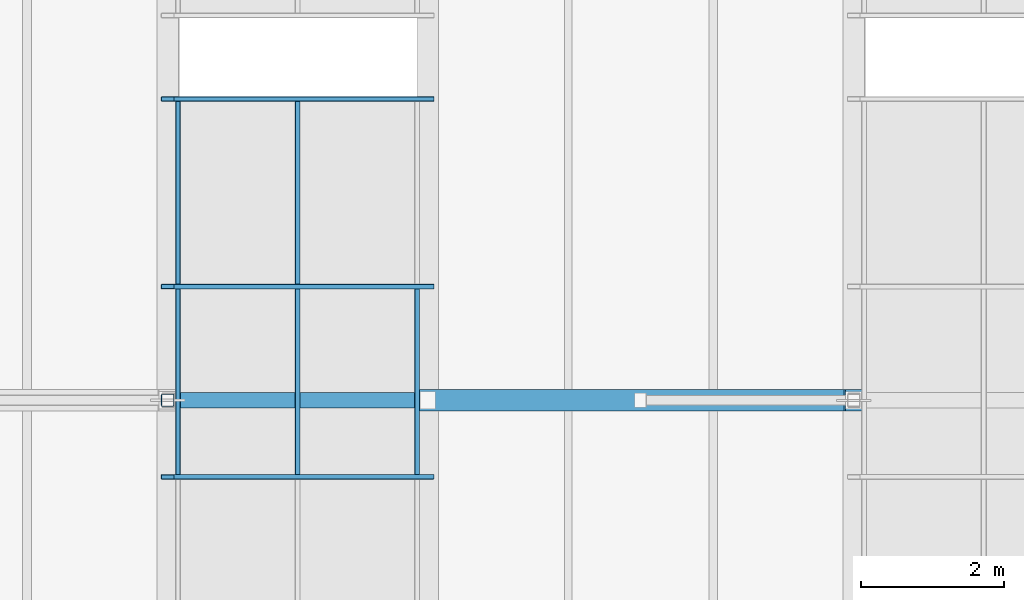
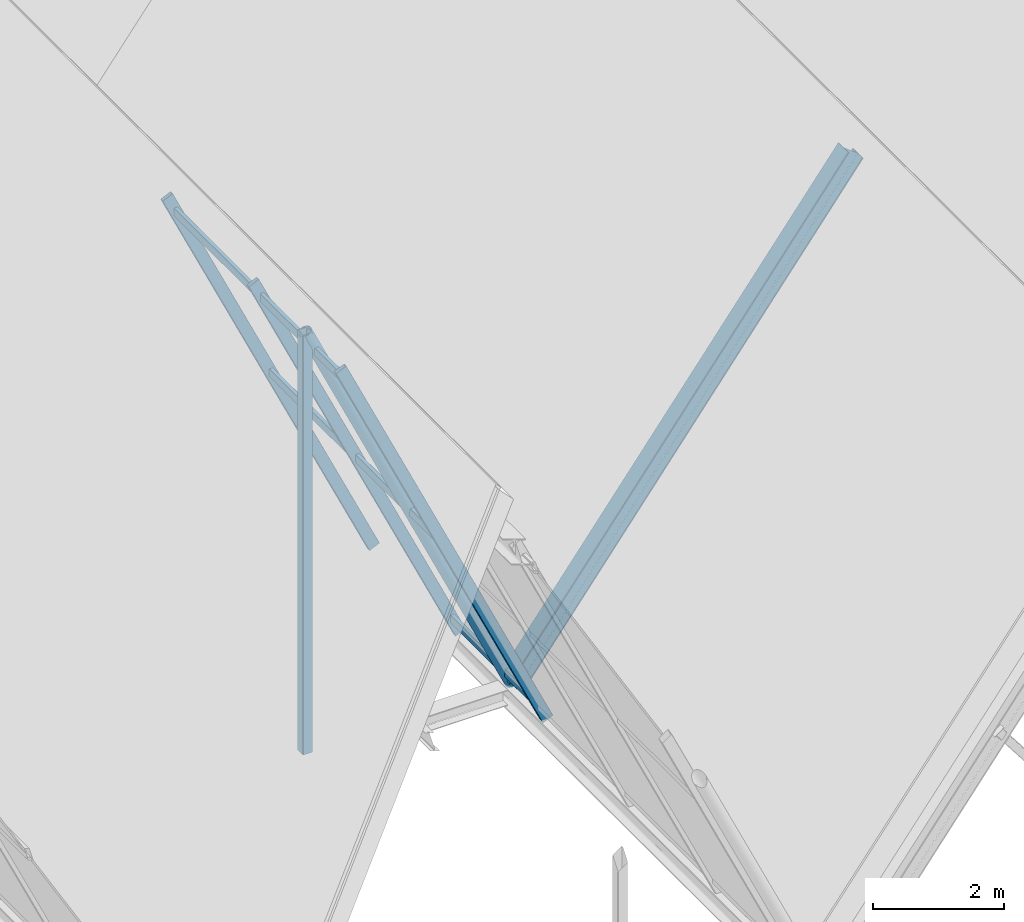
# One storey, part 12 of 99: 11 members, 1 element without a shape of its own.
"""IFC4 building model written with IfcOpenShell, lengths in metres."""

import ifcopenshell
import ifcopenshell.guid

model = None  # the IFC model being written
_history = None  # IfcOwnerHistory: only IFC2X3 demands one
_inside = {}  # id of a spatial element -> (the spatial element, [elements in it])
_under = {}  # id of a project, library or spatial element -> (it, [spatial elements below it])
_declared = {}  # id of a project -> (the project, [libraries it declares])
_typed = {}  # id of a type object -> (the type object, [elements of that type])
_made_of = {}  # id of a material, layer set ... -> (it, [elements and type objects made of it])


def new_model(schema):
    """Start an empty IFC model of exactly this schema.

    Asked for "IFC4X3", IfcOpenShell would pick the latest addendum, in which some entities
    have other attributes; the version numbers below select the first issue.
    IFC2X3 requires an IfcOwnerHistory on every rooted entity: one is made here for all.
    """
    global model, _history
    if schema == "IFC4X3":
        model = ifcopenshell.file(schema_version=(4, 3, 0, 0))
    else:
        model = ifcopenshell.file(schema=schema)
    _inside.clear()
    _under.clear()
    _declared.clear()
    _typed.clear()
    _made_of.clear()
    _history = None
    if model.schema == "IFC2X3":
        org = make("IfcOrganization", Name="unknown")
        user = make(
            "IfcPersonAndOrganization",
            ThePerson=make("IfcPerson", FamilyName="unknown"),
            TheOrganization=org,
        )
        app = make(
            "IfcApplication",
            ApplicationDeveloper=org,
            Version="unknown",
            ApplicationFullName="unknown",
            ApplicationIdentifier="unknown",
        )
        _history = make(
            "IfcOwnerHistory",
            OwningUser=user,
            OwningApplication=app,
            ChangeAction="ADDED",
            CreationDate=0,
        )
    return model


def make(cls, **values):
    """One entity of the class cls with the attributes given. An attribute that is None is left unset."""
    return model.create_entity(
        cls, **{name: value for name, value in values.items() if value is not None}
    )


def rooted(cls, **values):
    """An entity with a GlobalId (a new one), such as an element, a storey or a relation."""
    return make(cls, GlobalId=ifcopenshell.guid.new(), OwnerHistory=_history, **values)


def si_unit(unit_type, name, prefix=None):
    """IfcSIUnit, for example si_unit("LENGTHUNIT", "METRE", prefix="MILLI")."""
    return make("IfcSIUnit", UnitType=unit_type, Prefix=prefix, Name=name)


def assignment(units):
    """IfcUnitAssignment: the units of a project."""
    return None if units is None else make("IfcUnitAssignment", Units=units)


def point(xyz):
    """IfcCartesianPoint."""
    return None if xyz is None else make("IfcCartesianPoint", Coordinates=xyz)


def direction(xyz):
    """IfcDirection."""
    return None if xyz is None else make("IfcDirection", DirectionRatios=xyz)


def frame(location, z_axis=None, x_axis=None):
    """IfcAxis2Placement3D, a coordinate frame: its origin and axes. An axis left out is left unset."""
    return make(
        "IfcAxis2Placement3D",
        Location=point(location),
        Axis=direction(z_axis),
        RefDirection=direction(x_axis),
    )


def frame_2d(location, x_axis=None):
    """IfcAxis2Placement2D, a coordinate frame in the plane: its origin and x axis."""
    return make(
        "IfcAxis2Placement2D", Location=point(location), RefDirection=direction(x_axis)
    )


def origin():
    """The frame at (0, 0, 0) with its axes left unset."""
    return frame((0.0, 0.0, 0.0))


def origin_2d():
    """The frame at (0, 0) in the plane with its x axis left unset."""
    return frame_2d((0.0, 0.0))


def place(relative_to, where):
    """IfcLocalPlacement: puts the frame where relative to a parent placement (None: the world)."""
    return make(
        "IfcLocalPlacement", PlacementRelTo=relative_to, RelativePlacement=where
    )


def context(
    kind, dimensions, precision=None, world=None, true_north=None, identifier=None
):
    """IfcGeometricRepresentationContext, for example the 3D "Model" context."""
    return make(
        "IfcGeometricRepresentationContext",
        ContextIdentifier=identifier,
        ContextType=kind,
        CoordinateSpaceDimension=dimensions,
        Precision=precision,
        WorldCoordinateSystem=world,
        TrueNorth=true_north,
    )


def subcontext(parent, identifier, kind, view, scale=None):
    """IfcGeometricRepresentationSubContext, for example "Body" below "Model"."""
    return make(
        "IfcGeometricRepresentationSubContext",
        ContextIdentifier=identifier,
        ContextType=kind,
        ParentContext=parent,
        TargetScale=scale,
        TargetView=view,
    )


def project(units=None, contexts=None):
    """IfcProject with its units and contexts."""
    return rooted(
        "IfcProject",
        Name="project",
        RepresentationContexts=contexts,
        UnitsInContext=assignment(units),
    )


def spatial(cls, under=None, at=None, **own):
    """A site, building, storey or space (cls), placed at a placement, below another one or the project."""
    s = rooted(cls, ObjectPlacement=at, **own)
    if under is not None:
        _under.setdefault(under.id(), (under, []))[1].append(s)
    return s


def profile(cls, at=None, kind="AREA", **sizes):
    """A parametric profile (cls). Its sizes go by their IFC names, for example OverallWidth=200.0."""
    return make(cls, ProfileType=kind, Position=at, **sizes)


def hollow_rectangle(**sizes):
    """IfcRectangleHollowProfileDef."""
    return profile("IfcRectangleHollowProfileDef", **sizes)


def hollow_circle(**sizes):
    """IfcCircleHollowProfileDef."""
    return profile("IfcCircleHollowProfileDef", **sizes)


def i_section(**sizes):
    """IfcIShapeProfileDef."""
    return profile("IfcIShapeProfileDef", **sizes)


def extrude(swept, where, along, depth):
    """IfcExtrudedAreaSolid: the profile swept, set in the frame where, extruded along a direction by depth."""
    return make(
        "IfcExtrudedAreaSolid",
        SweptArea=swept,
        Position=where,
        ExtrudedDirection=direction(along),
        Depth=depth,
    )


def shape(context_of_items, identifier, shape_type, items):
    """IfcShapeRepresentation: the items that make up one representation, for example the "Body"."""
    return make(
        "IfcShapeRepresentation",
        ContextOfItems=context_of_items,
        RepresentationIdentifier=identifier,
        RepresentationType=shape_type,
        Items=items,
    )


def material(Name=None, Category=None):
    """IfcMaterial."""
    return make("IfcMaterial", Name=Name, Category=Category)


def material_profile(
    of_material, cross_section, Name=None, Category=None, Priority=None
):
    """IfcMaterialProfile: a cross section and its material."""
    return make(
        "IfcMaterialProfile",
        Name=Name,
        Material=of_material,
        Profile=cross_section,
        Priority=Priority,
        Category=Category,
    )


def profile_set(profiles, Name=None, composite=None):
    """IfcMaterialProfileSet."""
    return make(
        "IfcMaterialProfileSet",
        Name=Name,
        MaterialProfiles=profiles,
        CompositeProfile=composite,
    )


def made_of(thing, what):
    """Note that an element or type object is made of a material, layer set ...; save() writes the relation."""
    if what is not None:
        _made_of.setdefault(what.id(), (what, []))[1].append(thing)
    return thing


def type_object(cls, material=None, **own):
    """A type object (cls), such as IfcWallType, which elements share."""
    return made_of(rooted(cls, **own), material)


def element(
    cls,
    number,
    at=None,
    inside=None,
    cuts=None,
    type_object=None,
    material=None,
    context=None,
    identifier="Body",
    shape_type=None,
    held_by="IfcProductDefinitionShape",
    body=None,
    shapes=None,
    **own,
):
    """One element of the class cls, such as IfcWall. Its Tag is "e" and its number.

    at: its placement. inside: the storey or other place that contains it. cuts: it is an
    opening in that element (IfcRelVoidsElement). A single representation is given by context,
    identifier, shape_type and body (its items); several are given by shapes. held_by: the class
    of the entity that holds the representations. save() writes the other relations.
    """
    e = rooted(cls, Tag="e%d" % number, ObjectPlacement=at, **own)
    if body is not None:
        shapes = [shape(context, identifier, shape_type, body)]
    if shapes is not None:
        e.Representation = make(held_by, Representations=shapes)
    if inside is not None:
        _inside.setdefault(inside.id(), (inside, []))[1].append(e)
    if cuts is not None:
        rooted(
            "IfcRelVoidsElement", RelatingBuildingElement=cuts, RelatedOpeningElement=e
        )
    if type_object is not None:
        _typed.setdefault(type_object.id(), (type_object, []))[1].append(e)
    return made_of(e, material)


def aggregate(whole, parts):
    """IfcRelAggregates: a whole, such as a stair, and the parts it consists of."""
    return rooted("IfcRelAggregates", RelatingObject=whole, RelatedObjects=parts)


def save(model, path):
    """Write the relations noted so far, then the file.

    IfcRelAggregates (storeys below a building ...), IfcRelContainedInSpatialStructure (elements
    in a storey), IfcRelDefinesByType, IfcRelAssociatesMaterial and IfcRelDeclares: one each for
    every whole, place, type object, material and project.
    """
    for whole, parts in _under.values():
        aggregate(whole, parts)
    for where, things in _inside.values():
        rooted(
            "IfcRelContainedInSpatialStructure",
            RelatedElements=things,
            RelatingStructure=where,
        )
    for kind, things in _typed.values():
        rooted("IfcRelDefinesByType", RelatedObjects=things, RelatingType=kind)
    for what, things in _made_of.values():
        rooted("IfcRelAssociatesMaterial", RelatedObjects=things, RelatingMaterial=what)
    for by, libraries in _declared.values():
        rooted("IfcRelDeclares", RelatingContext=by, RelatedDefinitions=libraries)
    model.write(path)


model = new_model("IFC4")

# Units and contexts
model_context = context("Model", 3, precision=1e-05, world=origin(), true_north=direction((0.0, 1.0)))
body_context = subcontext(model_context, "Body", "Model", "MODEL_VIEW")
ifc_project = project(units=[si_unit("LENGTHUNIT", "METRE"), si_unit("AREAUNIT", "SQUARE_METRE"), si_unit("VOLUMEUNIT", "CUBIC_METRE"), si_unit("PLANEANGLEUNIT", "RADIAN"), si_unit("MASSUNIT", "GRAM", prefix="KILO")], contexts=[model_context])

# Site, building, storey
site_placement = place(None, origin())
site = spatial("IfcSite", under=ifc_project, at=site_placement, CompositionType="ELEMENT")
building_placement = place(site_placement, origin())
building = spatial("IfcBuilding", under=site, at=building_placement, Name="Bramveld Media Centre", CompositionType="ELEMENT")
storey_placement = place(building_placement, frame((0.0, 0.0, 13.800048828125)))
storey = spatial("IfcBuildingStorey", under=building, at=storey_placement, Name="L03", CompositionType="ELEMENT", Elevation=13.800048828125)

# Curtain wall, members
ifc_material_1 = material(Name="Thermally broken anodized bronze aluminium unitized curtain wall with solar-control triple glazing", Category="aluminium")
curtain_wall_type = type_object("IfcCurtainWallType", Name="CW-SAW-13300x8606", PredefinedType="NOTDEFINED", material=ifc_material_1)
curtain_wall_placement = place(storey_placement, origin())
curtain_wall = element("IfcCurtainWall", 1, at=curtain_wall_placement, inside=storey, type_object=curtain_wall_type, Name="V2 sawtooth north-light clerestory B3-S1", PredefinedType="NOTDEFINED")
ifc_material_2 = material(Name="Thermally broken anodized bronze aluminium EN AW-6063 T6 curtain-wall framing", Category="aluminium")
ifc_material_profile_1 = material_profile(ifc_material_2, hollow_rectangle(XDim=0.070068359375, YDim=0.199951171875, WallThickness=0.00439453125, InnerFilletRadius=0.00439453125, OuterFilletRadius=0.009033203125, at=origin_2d()), Name="AL-MULL 70x200")
ifc_profile_set_1 = profile_set([ifc_material_profile_1], Name="Thermally broken anodized bronze aluminium EN AW-6063 T6 curtain-wall framing")
member_type_1 = type_object("IfcMemberType", Name="CW-MULL-SLP", PredefinedType="MULLION", material=ifc_profile_set_1)
member_1_placement = place(storey_placement, frame((28.800048828125, 8.530029296875, -0.02001953125), z_axis=(-0.423956992265, 0.0, 0.90568232218), x_axis=(0.0, -1.0, 0.0)))
member_1 = element("IfcMember", 2, at=member_1_placement, type_object=member_type_1, Name="CW-SA-13386 sloped mullion 4", PredefinedType="MULLION", context=body_context, shape_type="SweptSolid", body=[
    extrude(hollow_rectangle(XDim=0.070068359375, YDim=0.199951171875, WallThickness=0.00439453125, InnerFilletRadius=0.00439453125, OuterFilletRadius=0.009033203125, at=origin_2d()), origin(), (0.0, 0.0, 1.0), 8.5791015625),
])
member_2_placement = place(storey_placement, frame((28.800048828125, 11.18994140625, -0.02001953125), z_axis=(-0.423956992265, 0.0, 0.90568232218), x_axis=(0.0, -1.0, 0.0)))
member_2 = element("IfcMember", 3, at=member_2_placement, type_object=member_type_1, Name="CW-SA-13386 sloped mullion 5", PredefinedType="MULLION", context=body_context, shape_type="SweptSolid", body=[
    extrude(hollow_rectangle(XDim=0.070068359375, YDim=0.199951171875, WallThickness=0.00439453125, InnerFilletRadius=0.00439453125, OuterFilletRadius=0.009033203125, at=origin_2d()), origin(), (0.0, 0.0, 1.0), 8.5791015625),
])
member_3_placement = place(storey_placement, frame((28.800048828125, 13.81494140625, -0.02001953125), z_axis=(-0.423956992265, 0.0, 0.90568232218), x_axis=(0.0, -1.0, 0.0)))
member_3 = element("IfcMember", 4, at=member_3_placement, type_object=member_type_1, Name="CW-SA-13386 sloped mullion 6", PredefinedType="MULLION", context=body_context, shape_type="SweptSolid", body=[
    extrude(hollow_rectangle(XDim=0.070068359375, YDim=0.199951171875, WallThickness=0.00439453125, InnerFilletRadius=0.00439453125, OuterFilletRadius=0.009033203125, at=origin_2d()), origin(), (0.0, 0.0, 1.0), 8.5791015625),
])
ifc_material_3 = material(Name="Thermally broken anodized bronze aluminium EN AW-6063 T6 curtain-wall framing", Category="aluminium")
ifc_material_profile_2 = material_profile(ifc_material_3, hollow_rectangle(XDim=0.070068359375, YDim=0.14990234375, WallThickness=0.00390625, InnerFilletRadius=0.00390625, OuterFilletRadius=0.008056640625, at=origin_2d()), Name="AL-TRAN 70x150")
ifc_profile_set_2 = profile_set([ifc_material_profile_2], Name="Thermally broken anodized bronze aluminium EN AW-6063 T6 curtain-wall framing")
member_type_2 = type_object("IfcMemberType", Name="CW-TRAN-SLP", PredefinedType="USERDEFINED", material=ifc_profile_set_2)
member_4_placement = place(storey_placement, frame((28.654541015625, 8.56494140625, 0.290771484375), z_axis=(0.0, 1.0, 0.0), x_axis=(-1.0, 0.0, 0.0)))
member_4 = element("IfcMember", 5, at=member_4_placement, type_object=member_type_2, Name="CW-SA-13386 transom 4.1", ObjectType="TRANSOM", PredefinedType="USERDEFINED", context=body_context, shape_type="SweptSolid", body=[
    extrude(hollow_rectangle(XDim=0.070068359375, YDim=0.14990234375, WallThickness=0.00390625, InnerFilletRadius=0.00390625, OuterFilletRadius=0.008056640625, at=origin_2d()), origin(), (0.0, 0.0, 1.0), 2.590087890625),
])
member_5_placement = place(storey_placement, frame((26.9814453125, 8.56494140625, 3.864990234375), z_axis=(0.0, 1.0, 0.0), x_axis=(-1.0, 0.0, 0.0)))
member_5 = element("IfcMember", 6, at=member_5_placement, type_object=member_type_2, Name="CW-SA-13386 transom 4.2", ObjectType="TRANSOM", PredefinedType="USERDEFINED", context=body_context, shape_type="SweptSolid", body=[
    extrude(hollow_rectangle(XDim=0.070068359375, YDim=0.14990234375, WallThickness=0.00390625, InnerFilletRadius=0.00390625, OuterFilletRadius=0.008056640625, at=origin_2d()), origin(), (0.0, 0.0, 1.0), 2.590087890625),
])
member_6_placement = place(storey_placement, frame((25.308349609375, 8.56494140625, 7.439208984375), z_axis=(0.0, 1.0, 0.0), x_axis=(-1.0, 0.0, 0.0)))
member_6 = element("IfcMember", 7, at=member_6_placement, type_object=member_type_2, Name="CW-SA-13386 transom 4.3", ObjectType="TRANSOM", PredefinedType="USERDEFINED", context=body_context, shape_type="SweptSolid", body=[
    extrude(hollow_rectangle(XDim=0.070068359375, YDim=0.14990234375, WallThickness=0.00390625, InnerFilletRadius=0.00390625, OuterFilletRadius=0.008056640625, at=origin_2d()), origin(), (0.0, 0.0, 1.0), 2.590087890625),
])
member_7_placement = place(storey_placement, frame((26.9814453125, 11.22509765625, 3.864990234375), z_axis=(0.0, 1.0, 0.0), x_axis=(-1.0, 0.0, 0.0)))
member_7 = element("IfcMember", 8, at=member_7_placement, type_object=member_type_2, Name="CW-SA-13386 transom 5.2", ObjectType="TRANSOM", PredefinedType="USERDEFINED", context=body_context, shape_type="SweptSolid", body=[
    extrude(hollow_rectangle(XDim=0.070068359375, YDim=0.14990234375, WallThickness=0.00390625, InnerFilletRadius=0.00390625, OuterFilletRadius=0.008056640625, at=origin_2d()), origin(), (0.0, 0.0, 1.0), 2.554931640625),
])
member_8_placement = place(storey_placement, frame((25.308349609375, 11.22509765625, 7.439208984375), z_axis=(0.0, 1.0, 0.0), x_axis=(-1.0, 0.0, 0.0)))
member_8 = element("IfcMember", 9, at=member_8_placement, type_object=member_type_2, Name="CW-SA-13386 transom 5.3", ObjectType="TRANSOM", PredefinedType="USERDEFINED", context=body_context, shape_type="SweptSolid", body=[
    extrude(hollow_rectangle(XDim=0.070068359375, YDim=0.14990234375, WallThickness=0.00390625, InnerFilletRadius=0.00390625, OuterFilletRadius=0.008056640625, at=origin_2d()), origin(), (0.0, 0.0, 1.0), 2.554931640625),
])
aggregate(curtain_wall, [member_1, member_2, member_3, member_4, member_5, member_6, member_7, member_8])

# Members
ifc_material_4 = material(Name="Steel S355J2H", Category="steel")
ifc_material_profile_3 = material_profile(ifc_material_4, hollow_circle(Radius=0.109619140625, WallThickness=0.012451171875, at=origin_2d()), Name="CHS 219.1x12.5")
ifc_profile_set_3 = profile_set([ifc_material_profile_3], Name="Steel S355J2H")
member_type_3 = type_object("IfcMemberType", Name="MEM-BRACE-CHS219", PredefinedType="BRACE", material=ifc_profile_set_3)
member_9_placement = place(storey_placement, frame((28.800048828125, 9.60009765625, 0.0), z_axis=(-0.422616785161, 0.0, 0.906308475575), x_axis=(0.0, -1.0, 0.0)))
element("IfcMember", 10, at=member_9_placement, inside=storey, type_object=member_type_3, Name="TRUSS-V2-B03-F2 north-light strut", PredefinedType="BRACE", context=body_context, shape_type="SweptSolid", body=[
    extrude(hollow_circle(Radius=0.109619140625, WallThickness=0.012451171875, at=origin_2d()), origin(), (0.0, 0.0, 1.0), 8.6064453125),
])
ifc_material_5 = material(Name="Steel S355J2", Category="steel")
ifc_material_profile_4 = material_profile(ifc_material_5, i_section(OverallWidth=0.300048828125, OverallDepth=0.340087890625, WebThickness=0.011962890625, FlangeThickness=0.021484375, FilletRadius=0.027099609375, at=origin_2d()), Name="HEB 340")
ifc_profile_set_4 = profile_set([ifc_material_profile_4], Name="Steel S355J2")
member_type_4 = type_object("IfcMemberType", Name="MEM-CHORD-HEB340", PredefinedType="CHORD", material=ifc_profile_set_4)
member_10_placement = place(storey_placement, frame((28.800048828125, 9.60009765625, 0.0), z_axis=(0.607315341765, 0.0, 0.794460871067), x_axis=(0.0, 1.0, 0.0)))
element("IfcMember", 11, at=member_10_placement, inside=storey, type_object=member_type_4, Name="TRUSS-V2-B04-F2 top rafter chord", PredefinedType="CHORD", context=body_context, shape_type="SweptSolid", body=[
    extrude(i_section(OverallWidth=0.300048828125, OverallDepth=0.340087890625, WebThickness=0.011962890625, FlangeThickness=0.021484375, FilletRadius=0.027099609375, at=origin_2d()), origin(), (0.0, 0.0, 1.0), 9.818115234375),
])
ifc_material_6 = material(Name="Steel S355J2H", Category="steel")
ifc_material_profile_5 = material_profile(ifc_material_6, hollow_rectangle(XDim=0.179931640625, YDim=0.179931640625, WallThickness=0.010009765625, InnerFilletRadius=0.010009765625, OuterFilletRadius=0.02001953125, at=origin_2d()), Name="SHS 180x180x10")
ifc_profile_set_5 = profile_set([ifc_material_profile_5], Name="Steel S355J2H")
member_type_5 = type_object("IfcMemberType", Name="MEM-POST-SHS180", PredefinedType="POST", material=ifc_profile_set_5)
member_11_placement = place(storey_placement, frame((25.162841796875, 9.60009765625, 0.0), z_axis=(0.0, 0.0, 1.0), x_axis=(1.0, 0.0, 0.0)))
element("IfcMember", 12, at=member_11_placement, inside=storey, type_object=member_type_5, Name="TRUSS-V2-B03-F2 kingpost", PredefinedType="POST", context=body_context, shape_type="SweptSolid", body=[
    extrude(hollow_rectangle(XDim=0.179931640625, YDim=0.179931640625, WallThickness=0.010009765625, InnerFilletRadius=0.010009765625, OuterFilletRadius=0.02001953125, at=origin_2d()), origin(), (0.0, 0.0, 1.0), 7.800048828125),
])

save(model, "model.ifc")
